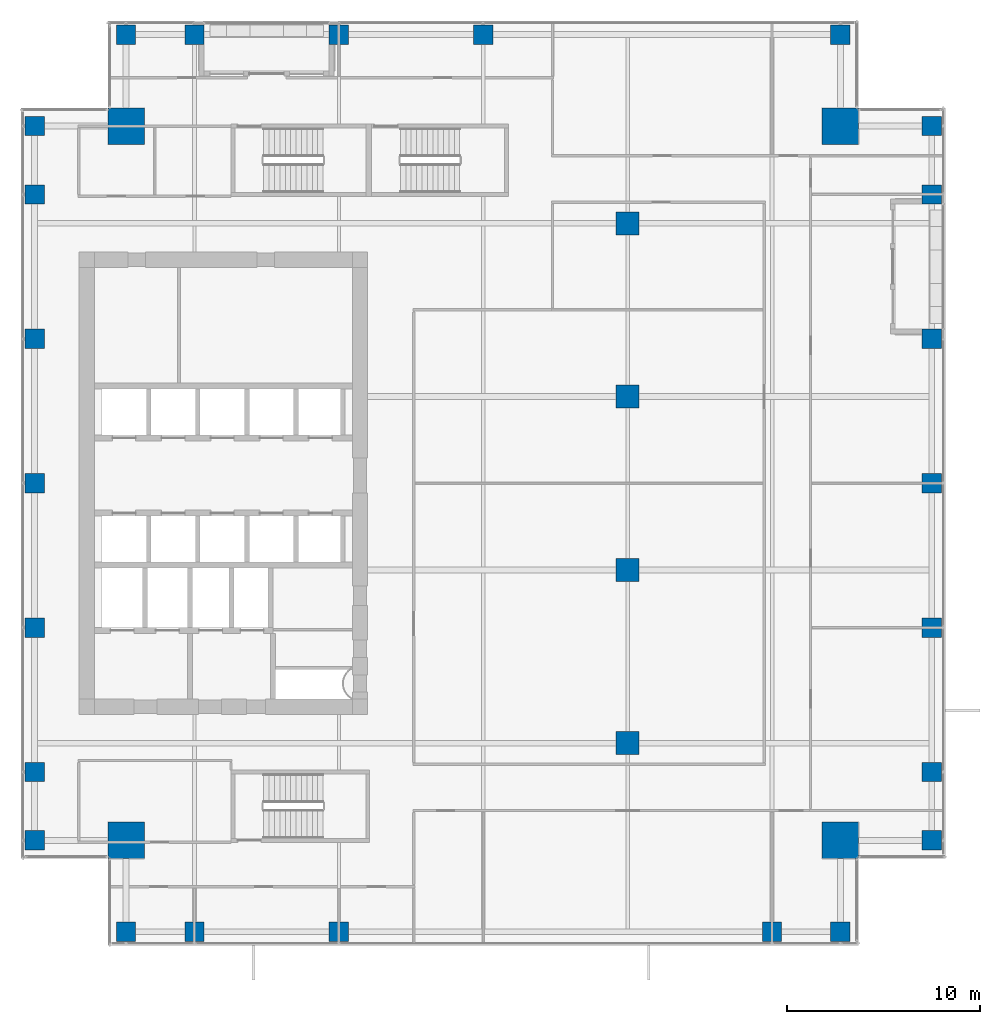
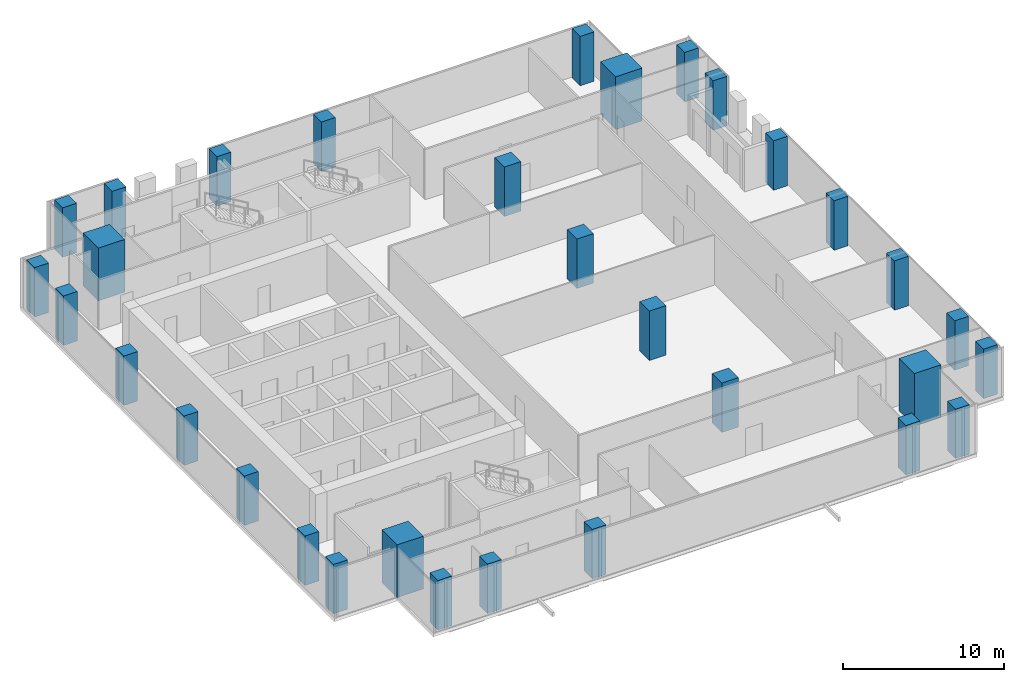
# One storey, part 1 of 40: 32 columns.
"""IFC4 building model written with IfcOpenShell, lengths in metres."""

from ifc_helpers import new_model, si_unit, direction, frame, origin, origin_2d, place, context, subcontext, project, spatial, rectangle, extrude, source, transform, mapped, material, material_profile, profile_set, type_object, element, save


model = new_model("IFC4")

# Units and contexts
model_context = context("Model", 3, precision=1e-05, world=origin(), true_north=direction((0.0, 1.0)))
body_context = subcontext(model_context, "Body", "Model", "MODEL_VIEW")
ifc_project = project(units=[si_unit("LENGTHUNIT", "METRE"), si_unit("AREAUNIT", "SQUARE_METRE"), si_unit("VOLUMEUNIT", "CUBIC_METRE"), si_unit("PLANEANGLEUNIT", "RADIAN"), si_unit("MASSUNIT", "GRAM", prefix="KILO")], contexts=[model_context])

# Site, building, storey
site_placement = place(None, origin())
site = spatial("IfcSite", under=ifc_project, at=site_placement, CompositionType="ELEMENT")
building_placement = place(site_placement, origin())
building = spatial("IfcBuilding", under=site, at=building_placement, Name="Khomas Fold Tower", CompositionType="ELEMENT")
storey_placement = place(building_placement, frame((0.0, 0.0, 192.699951171875)))
storey = spatial("IfcBuildingStorey", under=building, at=storey_placement, Name="L42", CompositionType="ELEMENT", Elevation=192.699951171875)

# Columns
ifc_material_1 = material(Name="Concrete C60/75", Category="concrete")
ifc_material_profile_1 = material_profile(ifc_material_1, rectangle(XDim=1.89990234375, YDim=1.89990234375, at=origin_2d()), Name="RC 1900x1900")
ifc_profile_set_1 = profile_set([ifc_material_profile_1], Name="Concrete C60/75")
column_type_1 = type_object("IfcColumnType", Name="RC 1900x1900 column", PredefinedType="COLUMN", material=ifc_profile_set_1)
shared_shape_1 = source(origin(), body_context, "Body", "SweptSolid", [
    extrude(rectangle(XDim=1.89990234375, YDim=1.89990234375, at=origin_2d()), origin(), (0.0, 0.0, 1.0), 4.0),
])
for number, where, z_axis, x_axis, name in (
    (1, (45.550048828125, 45.550048828125, 0.0), (0.0, 0.0, 1.0), (1.0, 0.0, 0.0), "CM-NE"),
    (2, (8.449951171875, 45.550048828125, 0.0), (0.0, 0.0, 1.0), (1.0, 0.0, 0.0), "CM-NW"),
    (3, (45.550048828125, 8.449951171875, 0.0), (0.0, 0.0, 1.0), (1.0, 0.0, 0.0), "CM-SE"),
    (4, (8.449951171875, 8.449951171875, 0.0), (0.0, 0.0, 1.0), (1.0, 0.0, 0.0), "CM-SW"),
):
    element("IfcColumn", number, at=place(storey_placement, frame(where, z_axis=z_axis, x_axis=x_axis)), inside=storey, type_object=column_type_1, Name=name, PredefinedType="COLUMN", context=body_context, shape_type="MappedRepresentation", body=[
        mapped(shared_shape_1, transform((0.0, 0.0, 0.0))),
    ])
ifc_material_2 = material(Name="Concrete C50/60", Category="concrete")
ifc_material_profile_2 = material_profile(ifc_material_2, rectangle(XDim=1.0, YDim=1.0, at=origin_2d()), Name="RC 1000x1000")
ifc_profile_set_2 = profile_set([ifc_material_profile_2], Name="Concrete C50/60")
column_type_2 = type_object("IfcColumnType", Name="RC 1000x1000 column", PredefinedType="COLUMN", material=ifc_profile_set_2)
shared_shape_2 = source(origin(), body_context, "Body", "SweptSolid", [
    extrude(rectangle(XDim=1.0, YDim=1.0, at=origin_2d()), origin(), (0.0, 0.0, 1.0), 3.75),
])
for number, where, z_axis, x_axis, name in (
    (5, (8.449951171875, 3.699951171875, 0.0), (0.0, 0.0, 1.0), (1.0, 0.0, 0.0), "C-4-SF3"),
    (6, (12.0, 3.699951171875, 0.0), (0.0, 0.0, 1.0), (1.0, 0.0, 0.0), "C-6-SF3"),
    (7, (19.5, 3.699951171875, 0.0), (0.0, 0.0, 1.0), (1.0, 0.0, 0.0), "C-8-SF3"),
    (8, (42.0, 3.699951171875, 0.0), (0.0, 0.0, 1.0), (1.0, 0.0, 0.0), "C-13-SF3"),
    (9, (45.550048828125, 3.699951171875, 0.0), (0.0, 0.0, 1.0), (1.0, 0.0, 0.0), "C-15-SF3"),
    (10, (50.300048828125, 8.449951171875, 0.0), (0.0, 0.0, 1.0), (1.0, 0.0, 0.0), "C-E3-D"),
    (11, (50.300048828125, 12.0, 0.0), (0.0, 0.0, 1.0), (1.0, 0.0, 0.0), "C-E3-F"),
    (12, (50.300048828125, 19.5, 0.0), (0.0, 0.0, 1.0), (1.0, 0.0, 0.0), "C-E3-J"),
    (13, (50.300048828125, 27.0, 0.0), (0.0, 0.0, 1.0), (1.0, 0.0, 0.0), "C-E3-L"),
    (14, (50.300048828125, 34.5, 0.0), (0.0, 0.0, 1.0), (1.0, 0.0, 0.0), "C-E3-N"),
    (15, (50.300048828125, 42.0, 0.0), (0.0, 0.0, 1.0), (1.0, 0.0, 0.0), "C-E3-R"),
    (16, (50.300048828125, 45.550048828125, 0.0), (0.0, 0.0, 1.0), (1.0, 0.0, 0.0), "C-E3-T"),
    (17, (8.449951171875, 50.300048828125, 0.0), (0.0, 0.0, 1.0), (1.0, 0.0, 0.0), "C-4-NF3"),
    (18, (12.0, 50.300048828125, 0.0), (0.0, 0.0, 1.0), (1.0, 0.0, 0.0), "C-6-NF3"),
    (19, (19.5, 50.300048828125, 0.0), (0.0, 0.0, 1.0), (1.0, 0.0, 0.0), "C-8-NF3"),
    (20, (27.0, 50.300048828125, 0.0), (0.0, 0.0, 1.0), (1.0, 0.0, 0.0), "C-9-NF3"),
    (21, (45.550048828125, 50.300048828125, 0.0), (0.0, 0.0, 1.0), (1.0, 0.0, 0.0), "C-15-NF3"),
    (22, (3.699951171875, 8.449951171875, 0.0), (0.0, 0.0, 1.0), (1.0, 0.0, 0.0), "C-W3-D"),
    (23, (3.699951171875, 12.0, 0.0), (0.0, 0.0, 1.0), (1.0, 0.0, 0.0), "C-W3-F"),
    (24, (3.699951171875, 19.5, 0.0), (0.0, 0.0, 1.0), (1.0, 0.0, 0.0), "C-W3-J"),
    (25, (3.699951171875, 27.0, 0.0), (0.0, 0.0, 1.0), (1.0, 0.0, 0.0), "C-W3-L"),
    (26, (3.699951171875, 34.5, 0.0), (0.0, 0.0, 1.0), (1.0, 0.0, 0.0), "C-W3-N"),
    (27, (3.699951171875, 42.0, 0.0), (0.0, 0.0, 1.0), (1.0, 0.0, 0.0), "C-W3-R"),
    (28, (3.699951171875, 45.550048828125, 0.0), (0.0, 0.0, 1.0), (1.0, 0.0, 0.0), "C-W3-T"),
):
    element("IfcColumn", number, at=place(storey_placement, frame(where, z_axis=z_axis, x_axis=x_axis)), inside=storey, type_object=column_type_2, Name=name, PredefinedType="COLUMN", context=body_context, shape_type="MappedRepresentation", body=[
        mapped(shared_shape_2, transform((0.0, 0.0, 0.0))),
    ])
ifc_material_3 = material(Name="Concrete C60/75", Category="concrete")
ifc_material_profile_3 = material_profile(ifc_material_3, rectangle(XDim=1.199951171875, YDim=1.199951171875, at=origin_2d()), Name="RC 1200x1200")
ifc_profile_set_3 = profile_set([ifc_material_profile_3], Name="Concrete C60/75")
column_type_3 = type_object("IfcColumnType", Name="RC 1200x1200 column", PredefinedType="COLUMN", material=ifc_profile_set_3)
shared_shape_3 = source(origin(), body_context, "Body", "SweptSolid", [
    extrude(rectangle(XDim=1.199951171875, YDim=1.199951171875, at=origin_2d()), origin(), (0.0, 0.0, 1.0), 3.75),
])
for number, where, z_axis, x_axis, name in (
    (29, (34.5, 13.5, 0.0), (0.0, 0.0, 1.0), (1.0, 0.0, 0.0), "C-10-H"),
    (30, (34.5, 22.5, 0.0), (0.0, 0.0, 1.0), (1.0, 0.0, 0.0), "C-10-K"),
    (31, (34.5, 31.5, 0.0), (0.0, 0.0, 1.0), (1.0, 0.0, 0.0), "C-10-M"),
    (32, (34.5, 40.5, 0.0), (0.0, 0.0, 1.0), (1.0, 0.0, 0.0), "C-10-P"),
):
    element("IfcColumn", number, at=place(storey_placement, frame(where, z_axis=z_axis, x_axis=x_axis)), inside=storey, type_object=column_type_3, Name=name, PredefinedType="COLUMN", context=body_context, shape_type="MappedRepresentation", body=[
        mapped(shared_shape_3, transform((0.0, 0.0, 0.0))),
    ])

save(model, "model.ifc")
